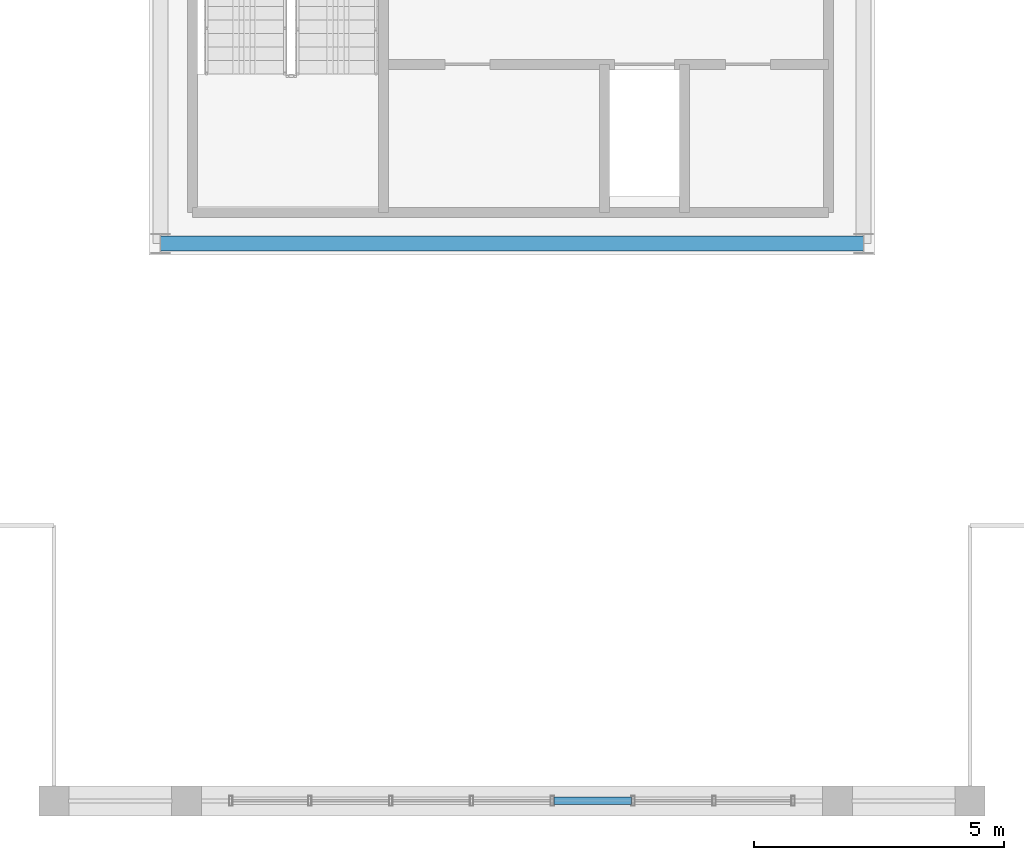
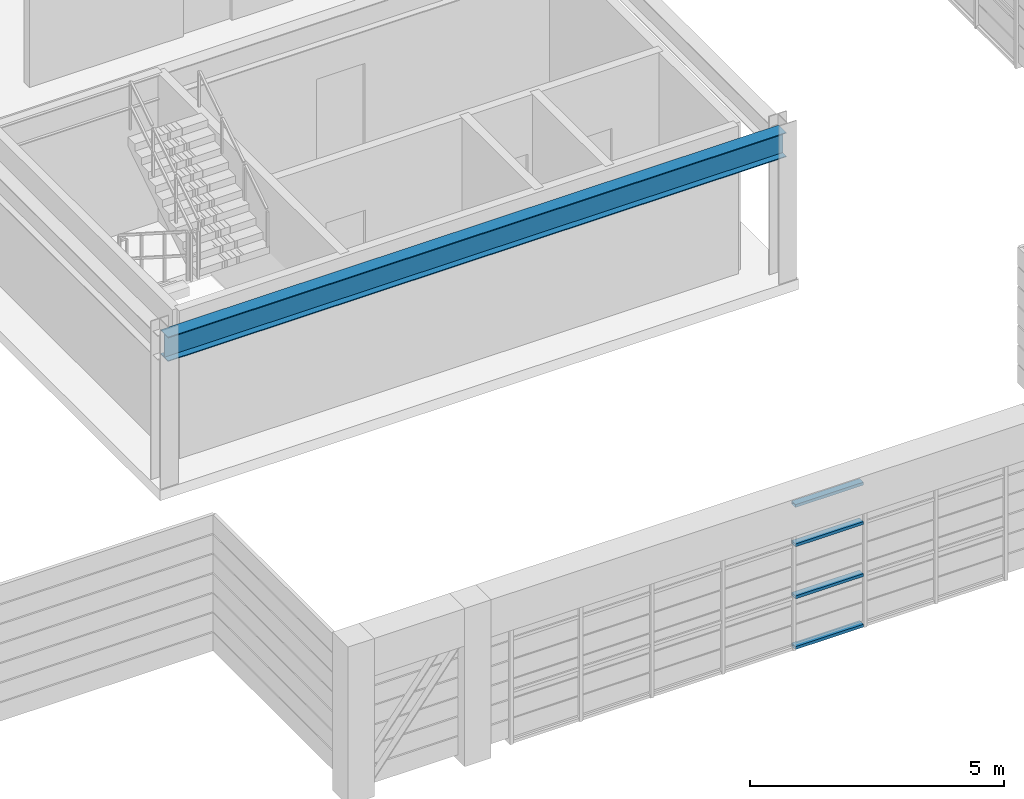
# One storey, part 4 of 21: 4 members, 1 beam, 1 element without a shape of its own.
"""IFC4 building model written with IfcOpenShell, lengths in metres."""

from ifc_helpers import new_model, si_unit, direction, frame, origin, origin_2d, place, context, subcontext, project, spatial, hollow_rectangle, i_section, extrude, source, transform, mapped, material, layer, layer_set, material_profile, profile_set, type_object, element, aggregate, save


model = new_model("IFC4")

# Units and contexts
model_context = context("Model", 3, precision=1e-05, world=origin(), true_north=direction((0.0, 1.0)))
body_context = subcontext(model_context, "Body", "Model", "MODEL_VIEW")
ifc_project = project(units=[si_unit("LENGTHUNIT", "METRE"), si_unit("AREAUNIT", "SQUARE_METRE"), si_unit("VOLUMEUNIT", "CUBIC_METRE"), si_unit("PLANEANGLEUNIT", "RADIAN"), si_unit("MASSUNIT", "GRAM", prefix="KILO")], contexts=[model_context])

# Site, building, storey
site_placement = place(None, origin())
site = spatial("IfcSite", under=ifc_project, at=site_placement, CompositionType="ELEMENT")
building_placement = place(site_placement, origin())
building = spatial("IfcBuilding", under=site, at=building_placement, Name="Saelheon Loggia Tower", CompositionType="ELEMENT")
storey_placement = place(building_placement, frame((0.0, 0.0, 267.39990234375)))
storey = spatial("IfcBuildingStorey", under=building, at=storey_placement, Name="CR5", CompositionType="ELEMENT", Elevation=267.39990234375)

# Beam
ifc_material_1 = material(Name="Steel SM355", Category="steel")
ifc_material_profile_1 = material_profile(ifc_material_1, i_section(OverallWidth=0.300048828125, OverallDepth=0.587890625, WebThickness=0.011962890625, FlangeThickness=0.02001953125, at=origin_2d()), Name="H-588x300x12x20")
ifc_profile_set_1 = profile_set([ifc_material_profile_1], Name="Steel SM355")
beam_type = type_object("IfcBeamType", Name="Beam_Girder_Steel_H588", PredefinedType="BEAM", material=ifc_profile_set_1)
shared_shape_1 = source(origin(), body_context, "Body", "SweptSolid", [
    extrude(i_section(OverallWidth=0.300048828125, OverallDepth=0.587890625, WebThickness=0.011962890625, FlangeThickness=0.02001953125, at=origin_2d()), origin(), (0.0, 0.0, 1.0), 14.0400390625),
])
beam_placement = place(storey_placement, frame((30.97998046875, 17.47998046875, 3.256103515625), z_axis=(1.0, 0.0, 0.0), x_axis=(0.0, 1.0, 0.0)))
element("IfcBeam", 1, at=beam_placement, inside=storey, type_object=beam_type, Name="BM-CR5-PL-S", PredefinedType="BEAM", context=body_context, shape_type="MappedRepresentation", body=[
    mapped(shared_shape_1, transform((0.0, 0.0, 0.0), scale=1.0)),
])

# Curtain wall, members
ifc_material_2 = material(Name="Bronze-Anodised Aluminium and Fritted Ceramic Screen", Category="aluminium")
ifc_layer = layer(ifc_material_2, 0.219970703125)
ifc_layer_set = layer_set([ifc_layer], Name="Bronze-Anodised Aluminium and Fritted Ceramic Screen")
curtain_wall_type = type_object("IfcCurtainWallType", Name="CW_CrownScreen", PredefinedType="NOTDEFINED", material=ifc_layer_set)
curtain_wall_placement = place(storey_placement, origin())
curtain_wall = element("IfcCurtainWall", 2, at=curtain_wall_placement, inside=storey, type_object=curtain_wall_type, Name="CR5 Crown Central Screen Curtain Wall 0", PredefinedType="NOTDEFINED")
ifc_material_3 = material(Name="Bronze-Anodised Aluminium 6063-T6", Category="aluminium")
ifc_material_profile_2 = material_profile(ifc_material_3, hollow_rectangle(XDim=0.070068359375, YDim=0.14990234375, WallThickness=0.0048828125, at=origin_2d()), Name="RHS-150x70x5")
ifc_profile_set_2 = profile_set([ifc_material_profile_2], Name="Bronze-Anodised Aluminium 6063-T6")
member_type = type_object("IfcMemberType", Name="CW_CrownScreen_Transom", PredefinedType="USERDEFINED", material=ifc_profile_set_2)
shared_shape_2 = source(origin(), body_context, "Body", "SweptSolid", [
    extrude(hollow_rectangle(XDim=0.070068359375, YDim=0.14990234375, WallThickness=0.0048828125, at=origin_2d()), origin(), (0.0, 0.0, 1.0), 1.54443359375),
])
member_1_placement = place(storey_placement, frame((38.842041015625, 6.35009765625, 0.03515625), z_axis=(1.0, 0.0, 0.0), x_axis=(0.0, 0.0, 1.0)))
member_1 = element("IfcMember", 3, at=member_1_placement, type_object=member_type, Name="CW6 transom 5.1", ObjectType="TRANSOM", PredefinedType="USERDEFINED", context=body_context, shape_type="MappedRepresentation", body=[
    mapped(shared_shape_2, transform((0.0, 0.0, 0.0), scale=1.0)),
])
member_2_placement = place(storey_placement, frame((38.842041015625, 6.35009765625, 1.25), z_axis=(1.0, 0.0, 0.0), x_axis=(0.0, 0.0, 1.0)))
member_2 = element("IfcMember", 4, at=member_2_placement, type_object=member_type, Name="CW6 transom 5.2", ObjectType="TRANSOM", PredefinedType="USERDEFINED", context=body_context, shape_type="MappedRepresentation", body=[
    mapped(shared_shape_2, transform((0.0, 0.0, 0.0), scale=1.0)),
])
member_3_placement = place(storey_placement, frame((38.842041015625, 6.35009765625, 2.5), z_axis=(1.0, 0.0, 0.0), x_axis=(0.0, 0.0, 1.0)))
member_3 = element("IfcMember", 5, at=member_3_placement, type_object=member_type, Name="CW6 transom 5.3", ObjectType="TRANSOM", PredefinedType="USERDEFINED", context=body_context, shape_type="MappedRepresentation", body=[
    mapped(shared_shape_2, transform((0.0, 0.0, 0.0), scale=1.0)),
])
member_4_placement = place(storey_placement, frame((38.842041015625, 6.35009765625, 3.445068359375), z_axis=(1.0, 0.0, 0.0), x_axis=(0.0, 0.0, 1.0)))
member_4 = element("IfcMember", 6, at=member_4_placement, type_object=member_type, Name="CW6 transom 5.4", ObjectType="TRANSOM", PredefinedType="USERDEFINED", context=body_context, shape_type="MappedRepresentation", body=[
    mapped(shared_shape_2, transform((0.0, 0.0, 0.0), scale=1.0)),
])
aggregate(curtain_wall, [member_1, member_2, member_3, member_4])

save(model, "model.ifc")
